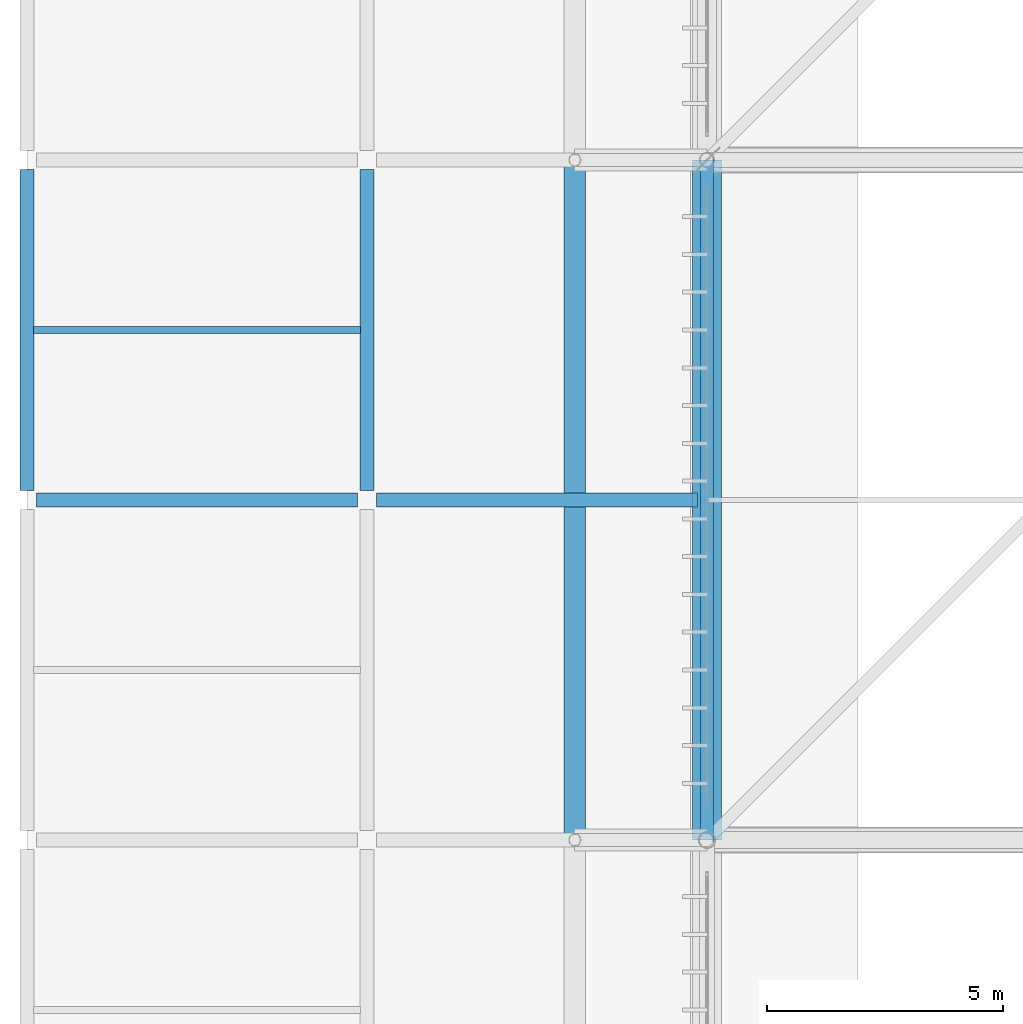
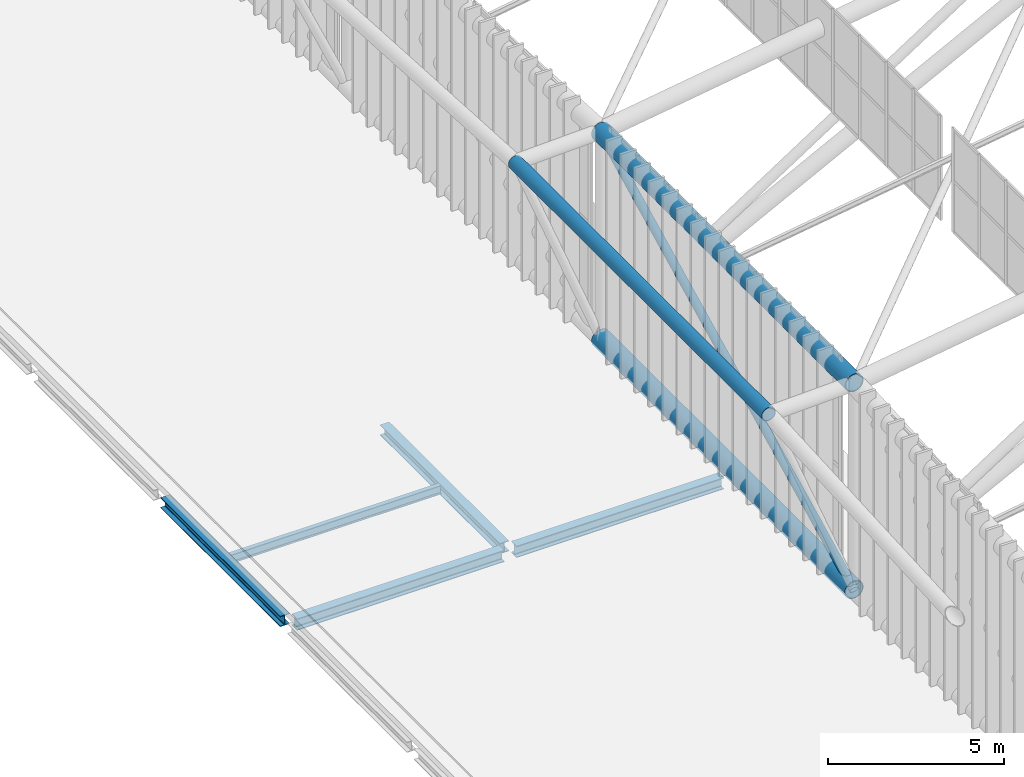
# One storey, part 172 of 397: 8 beams, 1 member.
"""IFC4 building model written with IfcOpenShell, lengths in metres."""

from ifc_helpers import new_model, si_unit, direction, frame, origin, origin_2d, place, context, subcontext, project, spatial, hollow_circle, i_section, extrude, material, material_profile, profile_set, type_object, element, save


model = new_model("IFC4")

# Units and contexts
model_context = context("Model", 3, precision=1e-05, world=origin(), true_north=direction((0.0, 1.0)))
body_context = subcontext(model_context, "Body", "Model", "MODEL_VIEW")
ifc_project = project(units=[si_unit("LENGTHUNIT", "METRE"), si_unit("AREAUNIT", "SQUARE_METRE"), si_unit("VOLUMEUNIT", "CUBIC_METRE"), si_unit("PLANEANGLEUNIT", "RADIAN"), si_unit("MASSUNIT", "GRAM", prefix="KILO")], contexts=[model_context])

# Site, building, storey
site_placement = place(None, origin())
site = spatial("IfcSite", under=ifc_project, at=site_placement, CompositionType="ELEMENT")
building_placement = place(site_placement, origin())
building = spatial("IfcBuilding", under=site, at=building_placement, Name="Qandorah Velis Arena", CompositionType="ELEMENT")
storey_placement = place(building_placement, frame((0.0, 0.0, 27.5)))
storey = spatial("IfcBuildingStorey", under=building, at=storey_placement, Name="RF", CompositionType="ELEMENT", Elevation=27.5)

# Beams
ifc_material_1 = material(Name="Steel S355", Category="steel")
ifc_material_profile_1 = material_profile(ifc_material_1, i_section(OverallWidth=0.300048828125, OverallDepth=0.360107421875, WebThickness=0.012451171875, FlangeThickness=0.0224609375, FilletRadius=0.027099609375, at=origin_2d()), Name="HEB 360")
ifc_profile_set_1 = profile_set([ifc_material_profile_1], Name="Steel S355")
beam_type_1 = type_object("IfcBeamType", Name="STR-BM-HEB360", PredefinedType="BEAM", material=ifc_profile_set_1)
for number, where, z_axis, x_axis, name in (
    (1, (0.0, 65.0, -0.39990234375), (0.0, 1.0, 0.0), (-1.0, 0.0, 0.0), "Primary floor girder RF Y-069"),
    (2, (7.199951171875, 65.0, -0.39990234375), (0.0, 1.0, 0.0), (-1.0, 0.0, 0.0), "Primary floor girder RF Y-081"),
):
    element("IfcBeam", number, at=place(storey_placement, frame(where, z_axis=z_axis, x_axis=x_axis)), inside=storey, type_object=beam_type_1, Name=name, PredefinedType="BEAM", context=body_context, shape_type="SweptSolid", body=[
        extrude(i_section(OverallWidth=0.300048828125, OverallDepth=0.360107421875, WebThickness=0.012451171875, FlangeThickness=0.0224609375, FilletRadius=0.027099609375, at=origin_2d()), origin(), (0.0, 0.0, 1.0), 6.800048828125),
    ])
ifc_material_profile_2 = material_profile(ifc_material_1, i_section(OverallWidth=0.300048828125, OverallDepth=0.39990234375, WebThickness=0.013427734375, FlangeThickness=0.02392578125, FilletRadius=0.027099609375, at=origin_2d()), Name="HEB 400")
ifc_profile_set_2 = profile_set([ifc_material_profile_2], Name="Steel S355")
beam_type_2 = type_object("IfcBeamType", Name="STR-BM-HEB400", PredefinedType="BEAM", material=ifc_profile_set_2)
for number, where, z_axis, x_axis, name in (
    (3, (0.199951171875, 64.800048828125, -0.419921875), (1.0, 0.0, 0.0), (0.0, 1.0, 0.0), "Primary floor girder RF X-031"),
    (4, (7.39990234375, 64.800048828125, -0.419921875), (1.0, 0.0, 0.0), (0.0, 1.0, 0.0), "Primary floor girder RF X-032"),
):
    element("IfcBeam", number, at=place(storey_placement, frame(where, z_axis=z_axis, x_axis=x_axis)), inside=storey, type_object=beam_type_2, Name=name, PredefinedType="BEAM", context=body_context, shape_type="SweptSolid", body=[
        extrude(i_section(OverallWidth=0.300048828125, OverallDepth=0.39990234375, WebThickness=0.013427734375, FlangeThickness=0.02392578125, FilletRadius=0.027099609375, at=origin_2d()), origin(), (0.0, 0.0, 1.0), 6.800048828125),
    ])
ifc_material_profile_3 = material_profile(ifc_material_1, i_section(OverallWidth=0.14990234375, OverallDepth=0.300048828125, WebThickness=0.007080078125, FlangeThickness=0.0107421875, FilletRadius=0.014892578125, at=origin_2d()), Name="IPE 300")
ifc_profile_set_3 = profile_set([ifc_material_profile_3], Name="Steel S355")
beam_type_3 = type_object("IfcBeamType", Name="STR-JST-IPE300", PredefinedType="JOIST", material=ifc_profile_set_3)
beam_1_placement = place(storey_placement, frame((0.135009765625, 68.39990234375, -0.3701171875), z_axis=(1.0, 0.0, 0.0), x_axis=(0.0, 1.0, 0.0)))
element("IfcBeam", 5, at=beam_1_placement, inside=storey, type_object=beam_type_3, Name="Secondary floor joist RF-007", PredefinedType="JOIST", context=body_context, shape_type="SweptSolid", body=[
    extrude(i_section(OverallWidth=0.14990234375, OverallDepth=0.300048828125, WebThickness=0.007080078125, FlangeThickness=0.0107421875, FilletRadius=0.014892578125, at=origin_2d()), origin(), (0.0, 0.0, 1.0), 6.929931640625),
])
ifc_material_profile_4 = material_profile(ifc_material_1, hollow_circle(Radius=0.228515625, WallThickness=0.01611328125, at=origin_2d()), Name="CHS 457x16")
ifc_profile_set_4 = profile_set([ifc_material_profile_4], Name="Steel S355")
beam_type_4 = type_object("IfcBeamType", Name="STR-SFC-CHS457X16", PredefinedType="USERDEFINED", material=ifc_profile_set_4)
beam_2_placement = place(storey_placement, frame((11.60009765625, 57.60009765625, 7.170654296875), z_axis=(0.0, 1.0, 0.0), x_axis=(-1.0, 0.0, 0.0)))
element("IfcBeam", 6, at=beam_2_placement, inside=storey, type_object=beam_type_4, Name="Space frame eave fascia ring W-3", ObjectType="ROOF TRUSS", PredefinedType="USERDEFINED", context=body_context, shape_type="SweptSolid", body=[
    extrude(hollow_circle(Radius=0.228515625, WallThickness=0.01611328125, at=origin_2d()), origin(), (0.0, 0.0, 1.0), 14.39990234375),
])
ifc_material_2 = material(Name="Steel S460", Category="steel")
ifc_material_profile_5 = material_profile(ifc_material_2, hollow_circle(Radius=0.304931640625, WallThickness=0.02490234375, at=origin_2d()), Name="CHS 610x25")
ifc_profile_set_5 = profile_set([ifc_material_profile_5], Name="Steel S460")
beam_type_5 = type_object("IfcBeamType", Name="STR-SFC-CHS610X25", PredefinedType="USERDEFINED", material=ifc_profile_set_5)
beam_3_placement = place(storey_placement, frame((14.39990234375, 57.60009765625, 0.10009765625), z_axis=(0.0, 1.0, 0.0), x_axis=(-1.0, 0.0, 0.0)))
element("IfcBeam", 7, at=beam_3_placement, inside=storey, type_object=beam_type_5, Name="Space frame roof truss bottom chord Y 0.3", ObjectType="ROOF TRUSS", PredefinedType="USERDEFINED", context=body_context, shape_type="SweptSolid", body=[
    extrude(hollow_circle(Radius=0.304931640625, WallThickness=0.02490234375, at=origin_2d()), origin(), (0.0, 0.0, 1.0), 14.39990234375),
])
ifc_material_profile_6 = material_profile(ifc_material_2, hollow_circle(Radius=0.304931640625, WallThickness=0.031982421875, at=origin_2d()), Name="CHS 610x32")
ifc_profile_set_6 = profile_set([ifc_material_profile_6], Name="Steel S460")
beam_type_6 = type_object("IfcBeamType", Name="STR-SFC-CHS610X32", PredefinedType="USERDEFINED", material=ifc_profile_set_6)
beam_4_placement = place(storey_placement, frame((14.39990234375, 57.60009765625, 7.2705078125), z_axis=(0.0, 1.0, 0.0), x_axis=(-1.0, 0.0, 0.0)))
element("IfcBeam", 8, at=beam_4_placement, inside=storey, type_object=beam_type_6, Name="Space frame roof truss top chord Y 0.3", ObjectType="ROOF TRUSS", PredefinedType="USERDEFINED", context=body_context, shape_type="SweptSolid", body=[
    extrude(hollow_circle(Radius=0.304931640625, WallThickness=0.031982421875, at=origin_2d()), origin(), (0.0, 0.0, 1.0), 14.39990234375),
])

# Member
ifc_material_profile_7 = material_profile(ifc_material_1, hollow_circle(Radius=0.136474609375, WallThickness=0.010009765625, at=origin_2d()), Name="CHS 273x10")
ifc_profile_set_7 = profile_set([ifc_material_profile_7], Name="Steel S355")
member_type = type_object("IfcMemberType", Name="STR-SFD-CHS273X10", PredefinedType="STRUT", material=ifc_profile_set_7)
member_placement = place(storey_placement, frame((14.39990234375, 57.60009765625, 0.10009765625), z_axis=(0.0, 0.895160543661, 0.445743873848), x_axis=(-1.0, 0.0, 0.0)))
element("IfcMember", 9, at=member_placement, inside=storey, type_object=member_type, Name="Space frame roof diagonal Y 0.3", PredefinedType="STRUT", context=body_context, shape_type="SweptSolid", body=[
    extrude(hollow_circle(Radius=0.136474609375, WallThickness=0.010009765625, at=origin_2d()), origin(), (0.0, 0.0, 1.0), 16.08642578125),
])

save(model, "model.ifc")
